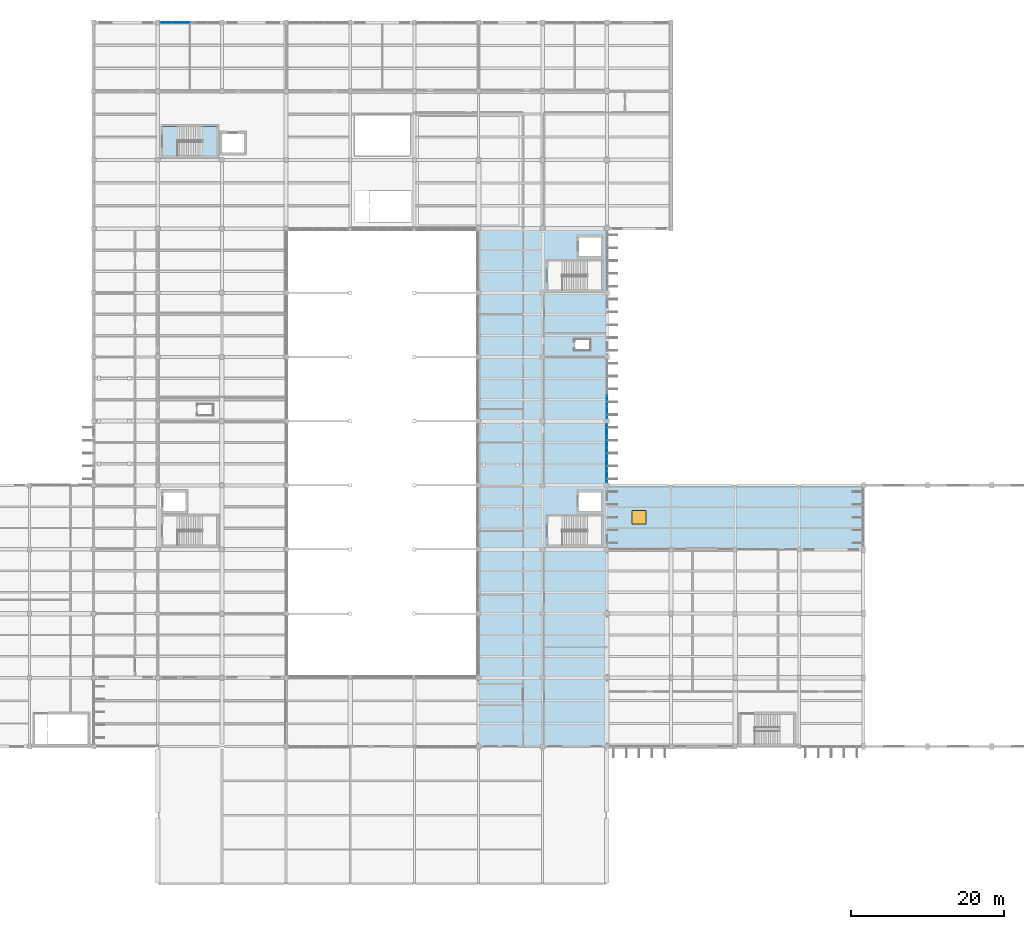
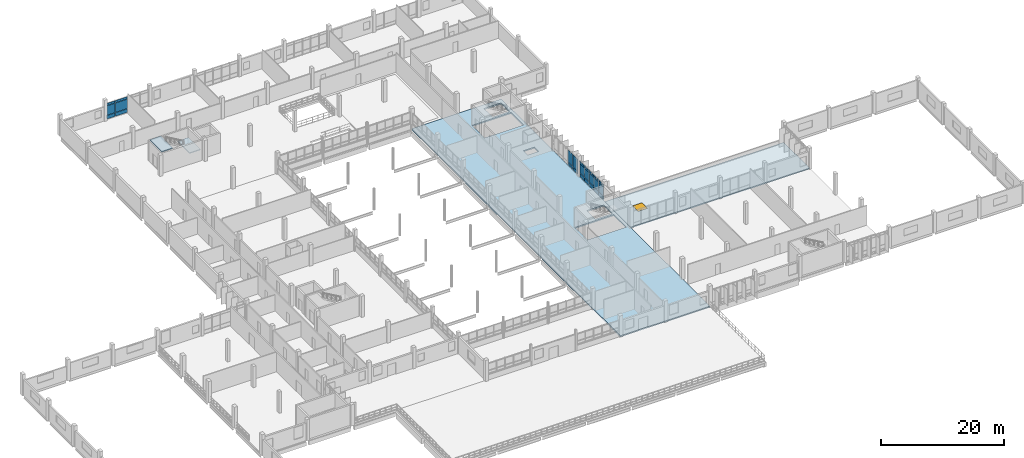
# One storey, part 76 of 101: 25 plates, 4 slabs, 1 window, 6 openings, 4 elements without a shape of their own.
"""IFC4 building model written with IfcOpenShell, lengths in metres."""

import ifcopenshell
import ifcopenshell.guid

model = None  # the IFC model being written
_history = None  # IfcOwnerHistory: only IFC2X3 demands one
_inside = {}  # id of a spatial element -> (the spatial element, [elements in it])
_under = {}  # id of a project, library or spatial element -> (it, [spatial elements below it])
_declared = {}  # id of a project -> (the project, [libraries it declares])
_typed = {}  # id of a type object -> (the type object, [elements of that type])
_made_of = {}  # id of a material, layer set ... -> (it, [elements and type objects made of it])


def new_model(schema):
    """Start an empty IFC model of exactly this schema.

    Asked for "IFC4X3", IfcOpenShell would pick the latest addendum, in which some entities
    have other attributes; the version numbers below select the first issue.
    IFC2X3 requires an IfcOwnerHistory on every rooted entity: one is made here for all.
    """
    global model, _history
    if schema == "IFC4X3":
        model = ifcopenshell.file(schema_version=(4, 3, 0, 0))
    else:
        model = ifcopenshell.file(schema=schema)
    _inside.clear()
    _under.clear()
    _declared.clear()
    _typed.clear()
    _made_of.clear()
    _history = None
    if model.schema == "IFC2X3":
        org = make("IfcOrganization", Name="unknown")
        user = make(
            "IfcPersonAndOrganization",
            ThePerson=make("IfcPerson", FamilyName="unknown"),
            TheOrganization=org,
        )
        app = make(
            "IfcApplication",
            ApplicationDeveloper=org,
            Version="unknown",
            ApplicationFullName="unknown",
            ApplicationIdentifier="unknown",
        )
        _history = make(
            "IfcOwnerHistory",
            OwningUser=user,
            OwningApplication=app,
            ChangeAction="ADDED",
            CreationDate=0,
        )
    return model


def make(cls, **values):
    """One entity of the class cls with the attributes given. An attribute that is None is left unset."""
    return model.create_entity(
        cls, **{name: value for name, value in values.items() if value is not None}
    )


def rooted(cls, **values):
    """An entity with a GlobalId (a new one), such as an element, a storey or a relation."""
    return make(cls, GlobalId=ifcopenshell.guid.new(), OwnerHistory=_history, **values)


def si_unit(unit_type, name, prefix=None):
    """IfcSIUnit, for example si_unit("LENGTHUNIT", "METRE", prefix="MILLI")."""
    return make("IfcSIUnit", UnitType=unit_type, Prefix=prefix, Name=name)


def assignment(units):
    """IfcUnitAssignment: the units of a project."""
    return None if units is None else make("IfcUnitAssignment", Units=units)


def point(xyz):
    """IfcCartesianPoint."""
    return None if xyz is None else make("IfcCartesianPoint", Coordinates=xyz)


def direction(xyz):
    """IfcDirection."""
    return None if xyz is None else make("IfcDirection", DirectionRatios=xyz)


def frame(location, z_axis=None, x_axis=None):
    """IfcAxis2Placement3D, a coordinate frame: its origin and axes. An axis left out is left unset."""
    return make(
        "IfcAxis2Placement3D",
        Location=point(location),
        Axis=direction(z_axis),
        RefDirection=direction(x_axis),
    )


def frame_2d(location, x_axis=None):
    """IfcAxis2Placement2D, a coordinate frame in the plane: its origin and x axis."""
    return make(
        "IfcAxis2Placement2D", Location=point(location), RefDirection=direction(x_axis)
    )


def origin():
    """The frame at (0, 0, 0) with its axes left unset."""
    return frame((0.0, 0.0, 0.0))


def origin_2d():
    """The frame at (0, 0) in the plane with its x axis left unset."""
    return frame_2d((0.0, 0.0))


def place(relative_to, where):
    """IfcLocalPlacement: puts the frame where relative to a parent placement (None: the world)."""
    return make(
        "IfcLocalPlacement", PlacementRelTo=relative_to, RelativePlacement=where
    )


def context(
    kind, dimensions, precision=None, world=None, true_north=None, identifier=None
):
    """IfcGeometricRepresentationContext, for example the 3D "Model" context."""
    return make(
        "IfcGeometricRepresentationContext",
        ContextIdentifier=identifier,
        ContextType=kind,
        CoordinateSpaceDimension=dimensions,
        Precision=precision,
        WorldCoordinateSystem=world,
        TrueNorth=true_north,
    )


def subcontext(parent, identifier, kind, view, scale=None):
    """IfcGeometricRepresentationSubContext, for example "Body" below "Model"."""
    return make(
        "IfcGeometricRepresentationSubContext",
        ContextIdentifier=identifier,
        ContextType=kind,
        ParentContext=parent,
        TargetScale=scale,
        TargetView=view,
    )


def project(units=None, contexts=None):
    """IfcProject with its units and contexts."""
    return rooted(
        "IfcProject",
        Name="project",
        RepresentationContexts=contexts,
        UnitsInContext=assignment(units),
    )


def spatial(cls, under=None, at=None, **own):
    """A site, building, storey or space (cls), placed at a placement, below another one or the project."""
    s = rooted(cls, ObjectPlacement=at, **own)
    if under is not None:
        _under.setdefault(under.id(), (under, []))[1].append(s)
    return s


def polyline(points):
    """IfcPolyline through the points."""
    return make("IfcPolyline", Points=[point(p) for p in points])


def profile(cls, at=None, kind="AREA", **sizes):
    """A parametric profile (cls). Its sizes go by their IFC names, for example OverallWidth=200.0."""
    return make(cls, ProfileType=kind, Position=at, **sizes)


def rectangle(**sizes):
    """IfcRectangleProfileDef."""
    return profile("IfcRectangleProfileDef", **sizes)


def outline(outer, holes=None, kind="AREA"):
    """IfcArbitraryClosedProfileDef: a profile drawn as a closed curve; with holes, ...WithVoids."""
    if holes is None:
        return make("IfcArbitraryClosedProfileDef", ProfileType=kind, OuterCurve=outer)
    return make(
        "IfcArbitraryProfileDefWithVoids",
        ProfileType=kind,
        OuterCurve=outer,
        InnerCurves=holes,
    )


def extrude(swept, where, along, depth):
    """IfcExtrudedAreaSolid: the profile swept, set in the frame where, extruded along a direction by depth."""
    return make(
        "IfcExtrudedAreaSolid",
        SweptArea=swept,
        Position=where,
        ExtrudedDirection=direction(along),
        Depth=depth,
    )


def shape(context_of_items, identifier, shape_type, items):
    """IfcShapeRepresentation: the items that make up one representation, for example the "Body"."""
    return make(
        "IfcShapeRepresentation",
        ContextOfItems=context_of_items,
        RepresentationIdentifier=identifier,
        RepresentationType=shape_type,
        Items=items,
    )


def material(Name=None, Category=None):
    """IfcMaterial."""
    return make("IfcMaterial", Name=Name, Category=Category)


def layer(
    of_material, thickness, ventilated=None, Name=None, Category=None, Priority=None
):
    """IfcMaterialLayer: one layer of a wall or slab, of a material (None: an air gap)."""
    return make(
        "IfcMaterialLayer",
        Material=of_material,
        LayerThickness=thickness,
        IsVentilated=ventilated,
        Name=Name,
        Category=Category,
        Priority=Priority,
    )


def layer_set(layers, Name=None):
    """IfcMaterialLayerSet."""
    return make("IfcMaterialLayerSet", MaterialLayers=layers, LayerSetName=Name)


def made_of(thing, what):
    """Note that an element or type object is made of a material, layer set ...; save() writes the relation."""
    if what is not None:
        _made_of.setdefault(what.id(), (what, []))[1].append(thing)
    return thing


def type_object(cls, material=None, **own):
    """A type object (cls), such as IfcWallType, which elements share."""
    return made_of(rooted(cls, **own), material)


def element(
    cls,
    number,
    at=None,
    inside=None,
    cuts=None,
    type_object=None,
    material=None,
    context=None,
    identifier="Body",
    shape_type=None,
    held_by="IfcProductDefinitionShape",
    body=None,
    shapes=None,
    **own,
):
    """One element of the class cls, such as IfcWall. Its Tag is "e" and its number.

    at: its placement. inside: the storey or other place that contains it. cuts: it is an
    opening in that element (IfcRelVoidsElement). A single representation is given by context,
    identifier, shape_type and body (its items); several are given by shapes. held_by: the class
    of the entity that holds the representations. save() writes the other relations.
    """
    e = rooted(cls, Tag="e%d" % number, ObjectPlacement=at, **own)
    if body is not None:
        shapes = [shape(context, identifier, shape_type, body)]
    if shapes is not None:
        e.Representation = make(held_by, Representations=shapes)
    if inside is not None:
        _inside.setdefault(inside.id(), (inside, []))[1].append(e)
    if cuts is not None:
        rooted(
            "IfcRelVoidsElement", RelatingBuildingElement=cuts, RelatedOpeningElement=e
        )
    if type_object is not None:
        _typed.setdefault(type_object.id(), (type_object, []))[1].append(e)
    return made_of(e, material)


def fill(opening, filler):
    """IfcRelFillsElement: the door or window that sits in an opening."""
    return rooted(
        "IfcRelFillsElement",
        RelatingOpeningElement=opening,
        RelatedBuildingElement=filler,
    )


def aggregate(whole, parts):
    """IfcRelAggregates: a whole, such as a stair, and the parts it consists of."""
    return rooted("IfcRelAggregates", RelatingObject=whole, RelatedObjects=parts)


def save(model, path):
    """Write the relations noted so far, then the file.

    IfcRelAggregates (storeys below a building ...), IfcRelContainedInSpatialStructure (elements
    in a storey), IfcRelDefinesByType, IfcRelAssociatesMaterial and IfcRelDeclares: one each for
    every whole, place, type object, material and project.
    """
    for whole, parts in _under.values():
        aggregate(whole, parts)
    for where, things in _inside.values():
        rooted(
            "IfcRelContainedInSpatialStructure",
            RelatedElements=things,
            RelatingStructure=where,
        )
    for kind, things in _typed.values():
        rooted("IfcRelDefinesByType", RelatedObjects=things, RelatingType=kind)
    for what, things in _made_of.values():
        rooted("IfcRelAssociatesMaterial", RelatedObjects=things, RelatingMaterial=what)
    for by, libraries in _declared.values():
        rooted("IfcRelDeclares", RelatingContext=by, RelatedDefinitions=libraries)
    model.write(path)


model = new_model("IFC4")

# Units and contexts
model_context = context("Model", 3, precision=1e-05, world=origin(), true_north=direction((0.0, 1.0)))
body_context = subcontext(model_context, "Body", "Model", "MODEL_VIEW")
ifc_project = project(units=[si_unit("LENGTHUNIT", "METRE"), si_unit("AREAUNIT", "SQUARE_METRE"), si_unit("VOLUMEUNIT", "CUBIC_METRE"), si_unit("PLANEANGLEUNIT", "RADIAN"), si_unit("MASSUNIT", "GRAM", prefix="KILO")], contexts=[model_context])

# Site, building, storey
site_placement = place(None, origin())
site = spatial("IfcSite", under=ifc_project, at=site_placement, CompositionType="ELEMENT")
building_placement = place(site_placement, origin())
building = spatial("IfcBuilding", under=site, at=building_placement, Name="Vireocrest Preparatory School", CompositionType="ELEMENT")
storey_placement = place(building_placement, frame((0.0, 0.0, 4.800048828125)))
storey = spatial("IfcBuildingStorey", under=building, at=storey_placement, Name="L01", CompositionType="ELEMENT", Elevation=4.800048828125)

# Curtain wall, plates
ifc_material_1 = material(Name="Thermally broken aluminium EN AW-6063-T6", Category="aluminium")
ifc_layer_1 = layer(ifc_material_1, 0.179931640625)
ifc_layer_set_1 = layer_set([ifc_layer_1], Name="Thermally broken aluminium EN AW-6063-T6")
curtain_wall_type_1 = type_object("IfcCurtainWallType", Name="Teaching Fin Curtain Wall 8400x4200", PredefinedType="USERDEFINED", material=ifc_layer_set_1)
curtain_wall_1_placement = place(storey_placement, origin())
curtain_wall_1 = element("IfcCurtainWall", 1, at=curtain_wall_1_placement, inside=storey, type_object=curtain_wall_type_1, Name="Curtain Wall CW03 CW_L01_CW03_1092_0525_048", ObjectType="CURTAIN WALL", PredefinedType="USERDEFINED")
ifc_material_2 = material(Name="Insulated triple low-e tempered safety glass", Category="glass")
ifc_layer_2 = layer(ifc_material_2, 0.074951171875)
ifc_layer_set_2 = layer_set([ifc_layer_2], Name="Insulated triple low-e tempered safety glass")
plate_type_1 = type_object("IfcPlateType", Name="Acoustic Triple-Glazed Lab Curtain Panel 75", PredefinedType="CURTAIN_PANEL", material=ifc_layer_set_2)
plate_1_placement = place(storey_placement, frame((109.199951171875, 53.327880859375, 0.88232421875), z_axis=(0.0, 0.0, 1.0), x_axis=(0.0, 1.0, 0.0)))
plate_1 = element("IfcPlate", 2, at=plate_1_placement, type_object=plate_type_1, Name="CW Panel GL2 CW_L01_CW03_1092_0525_048-1-2", PredefinedType="CURTAIN_PANEL", context=body_context, shape_type="SweptSolid", body=[
    extrude(rectangle(XDim=1.470947265625, YDim=0.074951171875, at=origin_2d()), origin(), (0.0, 0.0, 1.0), 1.784912109375),
])
plate_2_placement = place(storey_placement, frame((109.199951171875, 53.327880859375, 2.732421875), z_axis=(0.0, 0.0, 1.0), x_axis=(0.0, 1.0, 0.0)))
plate_2 = element("IfcPlate", 3, at=plate_2_placement, type_object=plate_type_1, Name="CW Panel GL2 CW_L01_CW03_1092_0525_048-1-3", PredefinedType="CURTAIN_PANEL", context=body_context, shape_type="SweptSolid", body=[
    extrude(rectangle(XDim=1.470947265625, YDim=0.074951171875, at=origin_2d()), origin(), (0.0, 0.0, 1.0), 0.409912109375),
])
plate_3_placement = place(storey_placement, frame((109.199951171875, 54.864013671875, 0.88232421875), z_axis=(0.0, 0.0, 1.0), x_axis=(0.0, 1.0, 0.0)))
plate_3 = element("IfcPlate", 4, at=plate_3_placement, type_object=plate_type_1, Name="CW Panel GL2 CW_L01_CW03_1092_0525_048-2-2", PredefinedType="CURTAIN_PANEL", context=body_context, shape_type="SweptSolid", body=[
    extrude(rectangle(XDim=1.470947265625, YDim=0.074951171875, at=origin_2d()), origin(), (0.0, 0.0, 1.0), 1.784912109375),
])
plate_4_placement = place(storey_placement, frame((109.199951171875, 54.864013671875, 2.732421875), z_axis=(0.0, 0.0, 1.0), x_axis=(0.0, 1.0, 0.0)))
plate_4 = element("IfcPlate", 5, at=plate_4_placement, type_object=plate_type_1, Name="CW Panel GL2 CW_L01_CW03_1092_0525_048-2-3", PredefinedType="CURTAIN_PANEL", context=body_context, shape_type="SweptSolid", body=[
    extrude(rectangle(XDim=1.470947265625, YDim=0.074951171875, at=origin_2d()), origin(), (0.0, 0.0, 1.0), 0.409912109375),
])
plate_5_placement = place(storey_placement, frame((109.199951171875, 56.39990234375, 0.88232421875), z_axis=(0.0, 0.0, 1.0), x_axis=(0.0, 1.0, 0.0)))
plate_5 = element("IfcPlate", 6, at=plate_5_placement, type_object=plate_type_1, Name="CW Panel GL2 CW_L01_CW03_1092_0525_048-3-2", PredefinedType="CURTAIN_PANEL", context=body_context, shape_type="SweptSolid", body=[
    extrude(rectangle(XDim=1.470947265625, YDim=0.074951171875, at=origin_2d()), origin(), (0.0, 0.0, 1.0), 1.784912109375),
])
plate_6_placement = place(storey_placement, frame((109.199951171875, 56.39990234375, 2.732421875), z_axis=(0.0, 0.0, 1.0), x_axis=(0.0, 1.0, 0.0)))
plate_6 = element("IfcPlate", 7, at=plate_6_placement, type_object=plate_type_1, Name="CW Panel GL2 CW_L01_CW03_1092_0525_048-3-3", PredefinedType="CURTAIN_PANEL", context=body_context, shape_type="SweptSolid", body=[
    extrude(rectangle(XDim=1.470947265625, YDim=0.074951171875, at=origin_2d()), origin(), (0.0, 0.0, 1.0), 0.409912109375),
])
plate_7_placement = place(storey_placement, frame((109.199951171875, 57.93603515625, 0.88232421875), z_axis=(0.0, 0.0, 1.0), x_axis=(0.0, 1.0, 0.0)))
plate_7 = element("IfcPlate", 8, at=plate_7_placement, type_object=plate_type_1, Name="CW Panel GL2 CW_L01_CW03_1092_0525_048-4-2", PredefinedType="CURTAIN_PANEL", context=body_context, shape_type="SweptSolid", body=[
    extrude(rectangle(XDim=1.470947265625, YDim=0.074951171875, at=origin_2d()), origin(), (0.0, 0.0, 1.0), 1.784912109375),
])
plate_8_placement = place(storey_placement, frame((109.199951171875, 57.93603515625, 2.732421875), z_axis=(0.0, 0.0, 1.0), x_axis=(0.0, 1.0, 0.0)))
plate_8 = element("IfcPlate", 9, at=plate_8_placement, type_object=plate_type_1, Name="CW Panel GL2 CW_L01_CW03_1092_0525_048-4-3", PredefinedType="CURTAIN_PANEL", context=body_context, shape_type="SweptSolid", body=[
    extrude(rectangle(XDim=1.470947265625, YDim=0.074951171875, at=origin_2d()), origin(), (0.0, 0.0, 1.0), 0.409912109375),
])
plate_9_placement = place(storey_placement, frame((109.199951171875, 59.471923828125, 0.88232421875), z_axis=(0.0, 0.0, 1.0), x_axis=(0.0, 1.0, 0.0)))
plate_9 = element("IfcPlate", 10, at=plate_9_placement, type_object=plate_type_1, Name="CW Panel GL2 CW_L01_CW03_1092_0525_048-5-2", PredefinedType="CURTAIN_PANEL", context=body_context, shape_type="SweptSolid", body=[
    extrude(rectangle(XDim=1.470947265625, YDim=0.074951171875, at=origin_2d()), origin(), (0.0, 0.0, 1.0), 1.784912109375),
])
plate_10_placement = place(storey_placement, frame((109.199951171875, 59.471923828125, 2.732421875), z_axis=(0.0, 0.0, 1.0), x_axis=(0.0, 1.0, 0.0)))
plate_10 = element("IfcPlate", 11, at=plate_10_placement, type_object=plate_type_1, Name="CW Panel GL2 CW_L01_CW03_1092_0525_048-5-3", PredefinedType="CURTAIN_PANEL", context=body_context, shape_type="SweptSolid", body=[
    extrude(rectangle(XDim=1.470947265625, YDim=0.074951171875, at=origin_2d()), origin(), (0.0, 0.0, 1.0), 0.409912109375),
])

curtain_wall_2_placement = place(storey_placement, origin())
curtain_wall_2 = element("IfcCurtainWall", 12, at=curtain_wall_2_placement, inside=storey, type_object=curtain_wall_type_1, Name="Curtain Wall CW03 CW_L01_CW03_1092_0609_048", ObjectType="CURTAIN WALL", PredefinedType="USERDEFINED")
plate_11_placement = place(storey_placement, frame((109.199951171875, 61.72802734375, 0.12744140625), z_axis=(0.0, 0.0, 1.0), x_axis=(0.0, 1.0, 0.0)))
plate_11 = element("IfcPlate", 13, at=plate_11_placement, type_object=plate_type_1, Name="CW Panel GL2 CW_L01_CW03_1092_0609_048-1-1", PredefinedType="CURTAIN_PANEL", context=body_context, shape_type="SweptSolid", body=[
    extrude(rectangle(XDim=1.470947265625, YDim=0.074951171875, at=origin_2d()), origin(), (0.0, 0.0, 1.0), 0.5400390625),
])
plate_12_placement = place(storey_placement, frame((109.199951171875, 61.72802734375, 0.732421875), z_axis=(0.0, 0.0, 1.0), x_axis=(0.0, 1.0, 0.0)))
plate_12 = element("IfcPlate", 14, at=plate_12_placement, type_object=plate_type_1, Name="CW Panel GL2 CW_L01_CW03_1092_0609_048-1-2", PredefinedType="CURTAIN_PANEL", context=body_context, shape_type="SweptSolid", body=[
    extrude(rectangle(XDim=1.470947265625, YDim=0.074951171875, at=origin_2d()), origin(), (0.0, 0.0, 1.0), 2.360107421875),
])
plate_13_placement = place(storey_placement, frame((109.199951171875, 63.263916015625, 0.12744140625), z_axis=(0.0, 0.0, 1.0), x_axis=(0.0, 1.0, 0.0)))
plate_13 = element("IfcPlate", 15, at=plate_13_placement, type_object=plate_type_1, Name="CW Panel GL2 CW_L01_CW03_1092_0609_048-2-1", PredefinedType="CURTAIN_PANEL", context=body_context, shape_type="SweptSolid", body=[
    extrude(rectangle(XDim=1.470947265625, YDim=0.074951171875, at=origin_2d()), origin(), (0.0, 0.0, 1.0), 0.5400390625),
])
plate_14_placement = place(storey_placement, frame((109.199951171875, 63.263916015625, 0.732421875), z_axis=(0.0, 0.0, 1.0), x_axis=(0.0, 1.0, 0.0)))
plate_14 = element("IfcPlate", 16, at=plate_14_placement, type_object=plate_type_1, Name="CW Panel GL2 CW_L01_CW03_1092_0609_048-2-2", PredefinedType="CURTAIN_PANEL", context=body_context, shape_type="SweptSolid", body=[
    extrude(rectangle(XDim=1.470947265625, YDim=0.074951171875, at=origin_2d()), origin(), (0.0, 0.0, 1.0), 2.360107421875),
])
aggregate(curtain_wall_2, [plate_11, plate_12, plate_13, plate_14])

ifc_layer_3 = layer(ifc_material_1, 0.179931640625)
ifc_layer_set_3 = layer_set([ifc_layer_3], Name="Thermally broken aluminium EN AW-6063-T6")
curtain_wall_type_2 = type_object("IfcCurtainWallType", Name="North Street Curtain Wall 8400x4000", PredefinedType="USERDEFINED", material=ifc_layer_set_3)
curtain_wall_3_placement = place(storey_placement, origin())
curtain_wall_3 = element("IfcCurtainWall", 17, at=curtain_wall_3_placement, inside=storey, type_object=curtain_wall_type_2, Name="Curtain Wall CW05 CW_L01_CW05_0507_1128_048", ObjectType="CURTAIN WALL", PredefinedType="USERDEFINED")
plate_15_placement = place(storey_placement, frame((51.508056640625, 112.800048828125, 0.882568359375), z_axis=(0.0, 0.0, 1.0), x_axis=(1.0, 0.0, 0.0)))
plate_15 = element("IfcPlate", 18, at=plate_15_placement, type_object=plate_type_1, Name="CW Panel GL2 CW_L01_CW05_0507_1128_048-1-2", PredefinedType="CURTAIN_PANEL", context=body_context, shape_type="SweptSolid", body=[
    extrude(rectangle(XDim=1.48095703125, YDim=0.074951171875, at=origin_2d()), origin(), (0.0, 0.0, 1.0), 1.85498046875),
])
plate_16_placement = place(storey_placement, frame((51.508056640625, 112.800048828125, 2.802734375), z_axis=(0.0, 0.0, 1.0), x_axis=(1.0, 0.0, 0.0)))
plate_16 = element("IfcPlate", 19, at=plate_16_placement, type_object=plate_type_1, Name="CW Panel GL2 CW_L01_CW05_0507_1128_048-1-3", PredefinedType="CURTAIN_PANEL", context=body_context, shape_type="SweptSolid", body=[
    extrude(rectangle(XDim=1.48095703125, YDim=0.074951171875, at=origin_2d()), origin(), (0.0, 0.0, 1.0), 0.409912109375),
])
plate_17_placement = place(storey_placement, frame((53.4404296875, 112.800048828125, 0.882568359375), z_axis=(0.0, 0.0, 1.0), x_axis=(1.0, 0.0, 0.0)))
plate_17 = element("IfcPlate", 20, at=plate_17_placement, type_object=plate_type_1, Name="CW Panel GL2 CW_L01_CW05_0507_1128_048-2-2", PredefinedType="CURTAIN_PANEL", context=body_context, shape_type="SweptSolid", body=[
    extrude(rectangle(XDim=2.25390625, YDim=0.074951171875, at=origin_2d()), origin(), (0.0, 0.0, 1.0), 1.85498046875),
])
plate_18_placement = place(storey_placement, frame((53.4404296875, 112.800048828125, 2.802734375), z_axis=(0.0, 0.0, 1.0), x_axis=(1.0, 0.0, 0.0)))
plate_18 = element("IfcPlate", 21, at=plate_18_placement, type_object=plate_type_1, Name="CW Panel GL2 CW_L01_CW05_0507_1128_048-2-3", PredefinedType="CURTAIN_PANEL", context=body_context, shape_type="SweptSolid", body=[
    extrude(rectangle(XDim=2.25390625, YDim=0.074951171875, at=origin_2d()), origin(), (0.0, 0.0, 1.0), 0.409912109375),
])

# Slab, opening, window
ifc_material_3 = material(Name="Concrete 40 MPa", Category="concrete")
ifc_layer_4 = layer(ifc_material_3, 0.219970703125)
ifc_layer_set_4 = layer_set([ifc_layer_4], Name="Concrete 40 MPa")
slab_type_1 = type_object("IfcSlabType", Name="Insulated Flat Concrete Roof Slab 220", PredefinedType="ROOF", material=ifc_layer_set_4)
slab_1_placement = place(storey_placement, frame((0.0, 0.0, -0.219970703125)))
slab_1 = element("IfcSlab", 22, at=slab_1_placement, inside=storey, type_object=slab_type_1, Name="Slab L01_EAST_LINK_ROOF_N", PredefinedType="ROOF", context=body_context, shape_type="SweptSolid", body=[
    extrude(outline(polyline([(109.199951171875, 43.800048828125), (142.800048828125, 43.800048828125), (142.800048828125, 52.199951171875), (109.199951171875, 52.199951171875), (109.199951171875, 43.800048828125)])), origin(), (0.0, 0.0, 1.0), 0.219970703125),
])
opening_1_placement = place(slab_1_placement, frame((113.39990234375, 48.0, -0.010009765625)))
opening_1 = element("IfcOpeningElement", 23, at=opening_1_placement, cuts=slab_1, Name="Opening SK02", PredefinedType="OPENING", context=body_context, shape_type="SweptSolid", body=[
    extrude(rectangle(XDim=1.800048828125, YDim=1.800048828125, at=origin_2d()), origin(), (0.0, 0.0, 1.0), 0.239990234375),
])
ifc_material_4 = material(Name="Tempered solar-control skylight glass", Category="glass")
window_type = type_object("IfcWindowType", Name="Corridor Roof Skylight 1800x1800", PartitioningType="SINGLE_PANEL", PredefinedType="SKYLIGHT", material=ifc_material_4)
window_placement = place(opening_1_placement, frame((0.0, 0.0, 0.179931640625)))
window = element("IfcWindow", 24, at=window_placement, inside=storey, type_object=window_type, Name="Roof Skylight SK02-01", OverallHeight=1.800048828125, OverallWidth=1.800048828125, PartitioningType="SINGLE_PANEL", PredefinedType="SKYLIGHT", context=body_context, shape_type="SweptSolid", body=[
    extrude(rectangle(XDim=1.800048828125, YDim=1.800048828125, at=origin_2d()), origin(), (0.0, 0.0, 1.0), 0.050048828125),
])
fill(opening_1, window)

# Plate
ifc_material_5 = material(Name="Painted white aluminium cladding EN AW-6063-T6", Category="aluminium")
ifc_layer_5 = layer(ifc_material_5, 0.114990234375)
ifc_layer_set_5 = layer_set([ifc_layer_5], Name="Painted white aluminium cladding EN AW-6063-T6")
plate_type_2 = type_object("IfcPlateType", Name="Insulated White Spandrel Curtain Panel 115", PredefinedType="CURTAIN_PANEL", material=ifc_layer_set_5)
plate_19_placement = place(storey_placement, frame((109.199951171875, 53.327880859375, 0.12744140625), z_axis=(0.0, 0.0, 1.0), x_axis=(0.0, 1.0, 0.0)))
plate_19 = element("IfcPlate", 25, at=plate_19_placement, type_object=plate_type_2, Name="CW Panel SP2 CW_L01_CW03_1092_0525_048-1-1", PredefinedType="CURTAIN_PANEL", context=body_context, shape_type="SweptSolid", body=[
    extrude(rectangle(XDim=1.470947265625, YDim=0.114990234375, at=origin_2d()), origin(), (0.0, 0.0, 1.0), 0.68994140625),
])

plate_20_placement = place(storey_placement, frame((109.199951171875, 54.864013671875, 0.12744140625), z_axis=(0.0, 0.0, 1.0), x_axis=(0.0, 1.0, 0.0)))
plate_20 = element("IfcPlate", 26, at=plate_20_placement, type_object=plate_type_2, Name="CW Panel SP2 CW_L01_CW03_1092_0525_048-2-1", PredefinedType="CURTAIN_PANEL", context=body_context, shape_type="SweptSolid", body=[
    extrude(rectangle(XDim=1.470947265625, YDim=0.114990234375, at=origin_2d()), origin(), (0.0, 0.0, 1.0), 0.68994140625),
])

plate_21_placement = place(storey_placement, frame((109.199951171875, 56.39990234375, 0.12744140625), z_axis=(0.0, 0.0, 1.0), x_axis=(0.0, 1.0, 0.0)))
plate_21 = element("IfcPlate", 27, at=plate_21_placement, type_object=plate_type_2, Name="CW Panel SP2 CW_L01_CW03_1092_0525_048-3-1", PredefinedType="CURTAIN_PANEL", context=body_context, shape_type="SweptSolid", body=[
    extrude(rectangle(XDim=1.470947265625, YDim=0.114990234375, at=origin_2d()), origin(), (0.0, 0.0, 1.0), 0.68994140625),
])

plate_22_placement = place(storey_placement, frame((109.199951171875, 57.93603515625, 0.12744140625), z_axis=(0.0, 0.0, 1.0), x_axis=(0.0, 1.0, 0.0)))
plate_22 = element("IfcPlate", 28, at=plate_22_placement, type_object=plate_type_2, Name="CW Panel SP2 CW_L01_CW03_1092_0525_048-4-1", PredefinedType="CURTAIN_PANEL", context=body_context, shape_type="SweptSolid", body=[
    extrude(rectangle(XDim=1.470947265625, YDim=0.114990234375, at=origin_2d()), origin(), (0.0, 0.0, 1.0), 0.68994140625),
])

plate_23_placement = place(storey_placement, frame((109.199951171875, 59.471923828125, 0.12744140625), z_axis=(0.0, 0.0, 1.0), x_axis=(0.0, 1.0, 0.0)))
plate_23 = element("IfcPlate", 29, at=plate_23_placement, type_object=plate_type_2, Name="CW Panel SP2 CW_L01_CW03_1092_0525_048-5-1", PredefinedType="CURTAIN_PANEL", context=body_context, shape_type="SweptSolid", body=[
    extrude(rectangle(XDim=1.470947265625, YDim=0.114990234375, at=origin_2d()), origin(), (0.0, 0.0, 1.0), 0.68994140625),
])

aggregate(curtain_wall_1, [plate_19, plate_1, plate_2, plate_20, plate_3, plate_4, plate_21, plate_5, plate_6, plate_22, plate_7, plate_8, plate_23, plate_9, plate_10])

plate_24_placement = place(storey_placement, frame((51.508056640625, 112.800048828125, 0.12744140625), z_axis=(0.0, 0.0, 1.0), x_axis=(1.0, 0.0, 0.0)))
plate_24 = element("IfcPlate", 30, at=plate_24_placement, type_object=plate_type_2, Name="CW Panel SP2 CW_L01_CW05_0507_1128_048-1-1", PredefinedType="CURTAIN_PANEL", context=body_context, shape_type="SweptSolid", body=[
    extrude(rectangle(XDim=1.48095703125, YDim=0.114990234375, at=origin_2d()), origin(), (0.0, 0.0, 1.0), 0.68994140625),
])

plate_25_placement = place(storey_placement, frame((53.4404296875, 112.800048828125, 0.12744140625), z_axis=(0.0, 0.0, 1.0), x_axis=(1.0, 0.0, 0.0)))
plate_25 = element("IfcPlate", 31, at=plate_25_placement, type_object=plate_type_2, Name="CW Panel SP2 CW_L01_CW05_0507_1128_048-2-1", PredefinedType="CURTAIN_PANEL", context=body_context, shape_type="SweptSolid", body=[
    extrude(rectangle(XDim=2.25390625, YDim=0.114990234375, at=origin_2d()), origin(), (0.0, 0.0, 1.0), 0.68994140625),
])

aggregate(curtain_wall_3, [plate_24, plate_15, plate_16, plate_25, plate_17, plate_18])

# Stair, slabs
stair_type = type_object("IfcStairType", Name="Feature Library Stair 4200 Rise 1800 Wide", PredefinedType="HALF_TURN_STAIR", material=ifc_material_3)
stair_placement = place(storey_placement, origin())
stair = element("IfcStair", 32, at=stair_placement, inside=storey, type_object=stair_type, Name="Two-Run Stair ST3-L01", PredefinedType="HALF_TURN_STAIR")
ifc_layer_6 = layer(ifc_material_3, 0.179931640625)
ifc_layer_set_6 = layer_set([ifc_layer_6], Name="Concrete 40 MPa")
slab_type_2 = type_object("IfcSlabType", Name="Precast Concrete Stair Landing Slab 180", PredefinedType="LANDING", material=ifc_layer_set_6)
slab_2_placement = place(storey_placement, frame((0.0, 0.0, 1.919921875)))
slab_2 = element("IfcSlab", 33, at=slab_2_placement, type_object=slab_type_2, Name="Stair Half-Landing ST3-L01", PredefinedType="LANDING", context=body_context, shape_type="SweptSolid", body=[
    extrude(outline(polyline([(56.18994140625, 95.31005859375), (58.2451171875, 95.31005859375), (58.2451171875, 99.18994140625), (56.18994140625, 99.18994140625), (56.18994140625, 95.31005859375)])), origin(), (0.0, 0.0, 1.0), 0.179931640625),
])
slab_3_placement = place(storey_placement, frame((0.0, 0.0, 4.02001953125)))
slab_3 = element("IfcSlab", 34, at=slab_3_placement, type_object=slab_type_2, Name="Stair Arrival Landing ST3-L01", PredefinedType="LANDING", context=body_context, shape_type="SweptSolid", body=[
    extrude(outline(polyline([(50.955078125, 95.31005859375), (53.010009765625, 95.31005859375), (53.010009765625, 99.18994140625), (50.955078125, 99.18994140625), (50.955078125, 95.31005859375)])), origin(), (0.0, 0.0, 1.0), 0.179931640625),
])
aggregate(stair, [slab_2, slab_3])

# Slab, openings
ifc_layer_7 = layer(ifc_material_3, 0.260009765625)
ifc_layer_set_7 = layer_set([ifc_layer_7], Name="Concrete 40 MPa")
slab_type_3 = type_object("IfcSlabType", Name="Science Laboratory Low-Vibration RC Slab 260", PredefinedType="FLOOR", material=ifc_layer_set_7)
slab_4_placement = place(storey_placement, frame((0.0, 0.0, -0.260009765625)))
slab_4 = element("IfcSlab", 35, at=slab_4_placement, inside=storey, type_object=slab_type_3, Name="Slab L01_EAST_WING", PredefinedType="FLOOR", context=body_context, shape_type="SweptSolid", body=[
    extrude(outline(polyline([(92.39990234375, 18.0), (109.199951171875, 18.0), (109.199951171875, 85.800048828125), (92.39990234375, 85.800048828125), (92.39990234375, 18.0)])), origin(), (0.0, 0.0, 1.0), 0.260009765625),
])
opening_2_placement = place(slab_4_placement, frame((0.0, 0.0, -0.010009765625)))
element("IfcOpeningElement", 36, at=opening_2_placement, cuts=slab_4, Name="Slab Opening SLAB_L01_EAST_WING-1", PredefinedType="OPENING", context=body_context, shape_type="SweptSolid", body=[
    extrude(outline(polyline([(101.35009765625, 44.199951171875), (108.64990234375, 44.199951171875), (108.64990234375, 48.300048828125), (101.35009765625, 48.300048828125), (101.35009765625, 44.199951171875)])), origin(), (0.0, 0.0, 1.0), 0.280029296875),
])
opening_3_placement = place(slab_4_placement, frame((0.0, 0.0, -0.010009765625)))
element("IfcOpeningElement", 37, at=opening_3_placement, cuts=slab_4, Name="Slab Opening SLAB_L01_EAST_WING-2", PredefinedType="OPENING", context=body_context, shape_type="SweptSolid", body=[
    extrude(outline(polyline([(105.39990234375, 48.64990234375), (108.60009765625, 48.64990234375), (108.60009765625, 51.449951171875), (105.39990234375, 51.449951171875), (105.39990234375, 48.64990234375)])), origin(), (0.0, 0.0, 1.0), 0.280029296875),
])
opening_4_placement = place(slab_4_placement, frame((0.0, 0.0, -0.010009765625)))
element("IfcOpeningElement", 38, at=opening_4_placement, cuts=slab_4, Name="Slab Opening SLAB_L01_EAST_WING-3", PredefinedType="OPENING", context=body_context, shape_type="SweptSolid", body=[
    extrude(outline(polyline([(101.35009765625, 77.60009765625), (108.64990234375, 77.60009765625), (108.64990234375, 81.699951171875), (101.35009765625, 81.699951171875), (101.35009765625, 77.60009765625)])), origin(), (0.0, 0.0, 1.0), 0.280029296875),
])
opening_5_placement = place(slab_4_placement, frame((0.0, 0.0, -0.010009765625)))
element("IfcOpeningElement", 39, at=opening_5_placement, cuts=slab_4, Name="Slab Opening SLAB_L01_EAST_WING-4", PredefinedType="OPENING", context=body_context, shape_type="SweptSolid", body=[
    extrude(outline(polyline([(105.39990234375, 82.050048828125), (108.60009765625, 82.050048828125), (108.60009765625, 84.85009765625), (105.39990234375, 84.85009765625), (105.39990234375, 82.050048828125)])), origin(), (0.0, 0.0, 1.0), 0.280029296875),
])
opening_6_placement = place(slab_4_placement, frame((0.0, 0.0, -0.010009765625)))
element("IfcOpeningElement", 40, at=opening_6_placement, cuts=slab_4, Name="Slab Opening SLAB_L01_EAST_WING-5", PredefinedType="OPENING", context=body_context, shape_type="SweptSolid", body=[
    extrude(outline(polyline([(105.0, 69.89990234375), (107.0, 69.89990234375), (107.0, 71.300048828125), (105.0, 71.300048828125), (105.0, 69.89990234375)])), origin(), (0.0, 0.0, 1.0), 0.280029296875),
])

save(model, "model.ifc")
